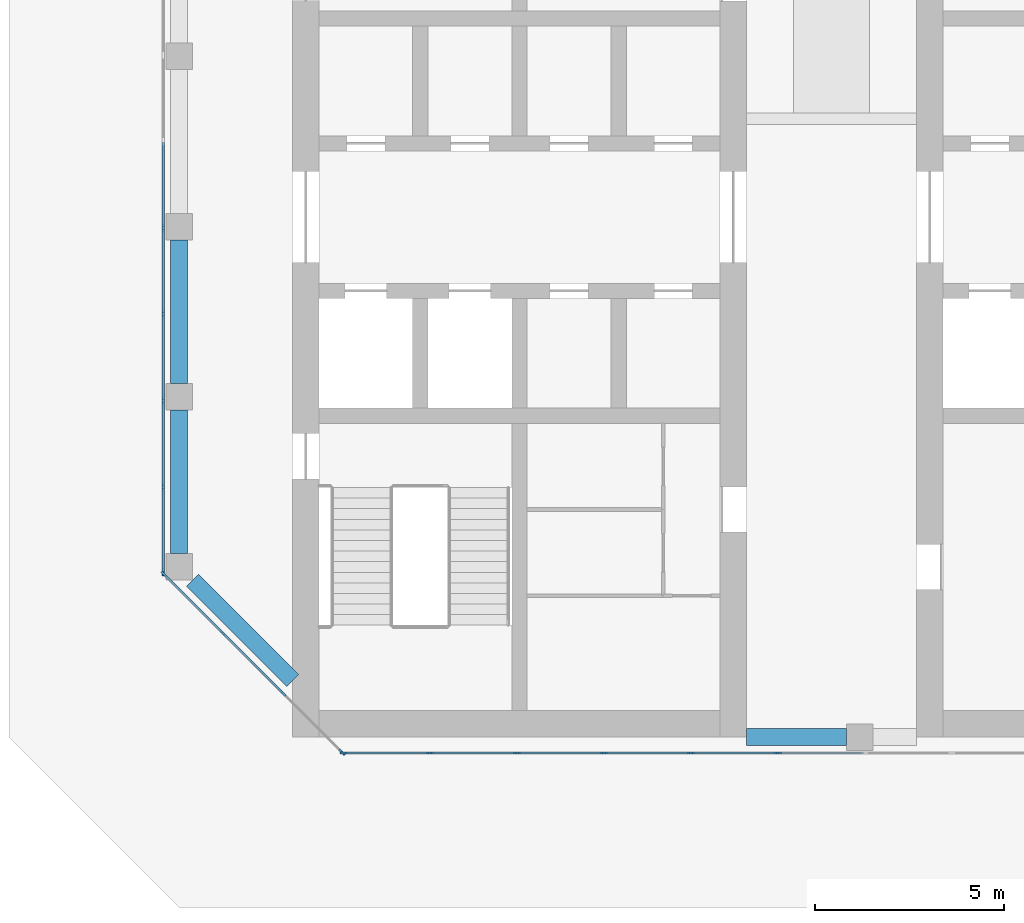
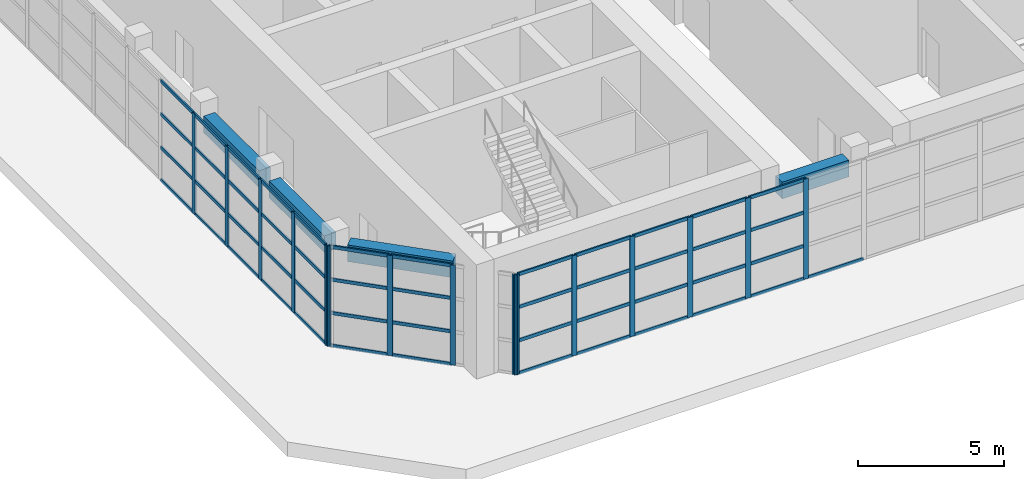
# One storey, part 2 of 13: 64 members, 4 beams, 3 elements without a shape of their own.
"""IFC4 building model written with IfcOpenShell, lengths in metres."""

from ifc_helpers import new_model, si_unit, direction, frame, origin, origin_2d, place, context, subcontext, project, spatial, rectangle, extrude, material, material_profile, profile_set, type_object, element, aggregate, save


model = new_model("IFC4")

# Units and contexts
model_context = context("Model", 3, precision=1e-05, world=origin(), true_north=direction((0.0, 1.0)))
body_context = subcontext(model_context, "Body", "Model", "MODEL_VIEW")
ifc_project = project(units=[si_unit("LENGTHUNIT", "METRE"), si_unit("AREAUNIT", "SQUARE_METRE"), si_unit("VOLUMEUNIT", "CUBIC_METRE"), si_unit("PLANEANGLEUNIT", "RADIAN"), si_unit("MASSUNIT", "GRAM", prefix="KILO")], contexts=[model_context])

# Site, building, storey
site_placement = place(None, origin())
site = spatial("IfcSite", under=ifc_project, at=site_placement, CompositionType="ELEMENT")
building_placement = place(site_placement, origin())
building = spatial("IfcBuilding", under=site, at=building_placement, Name="Corbel Stack Research Tower", CompositionType="ELEMENT")
storey_placement = place(building_placement, frame((0.0, 0.0, 311.800048828125)))
storey = spatial("IfcBuildingStorey", under=building, at=storey_placement, Name="L70", CompositionType="ELEMENT", Elevation=311.800048828125)

# Curtain wall, members
ifc_material_1 = material(Name="Aluminium and glass", Category="aluminium")
curtain_wall_type = type_object("IfcCurtainWallType", Name="CW4C damper hall glazing wall, corner", PredefinedType="NOTDEFINED", material=ifc_material_1)
curtain_wall_1_placement = place(storey_placement, origin())
curtain_wall_1 = element("IfcCurtainWall", 1, at=curtain_wall_1_placement, inside=storey, type_object=curtain_wall_type, Name="Damper hall curtain wall L70 1", PredefinedType="NOTDEFINED")
ifc_material_2 = material(Name="Aluminium, anodised", Category="aluminium")
ifc_material_profile_1 = material_profile(ifc_material_2, rectangle(XDim=0.06005859375, YDim=0.199951171875, at=origin_2d()), Name="CW4 mullion 60 x 200")
ifc_profile_set_1 = profile_set([ifc_material_profile_1], Name="Aluminium, anodised")
member_type_1 = type_object("IfcMemberType", Name="CW4 mullion 60 x 200", PredefinedType="MULLION", material=ifc_profile_set_1)
member_1_placement = place(storey_placement, frame((-9.1953125, -9.398681640625, 0.0), z_axis=(0.0, 0.0, 1.0), x_axis=(-0.707106781187, -0.707106781187, 0.0)))
member_1 = element("IfcMember", 2, at=member_1_placement, type_object=member_type_1, Name="CW4C mullion 1", PredefinedType="MULLION", context=body_context, shape_type="SweptSolid", body=[
    extrude(rectangle(XDim=0.06005859375, YDim=0.199951171875, at=origin_2d()), origin(), (0.0, 0.0, 1.0), 4.199951171875),
])
member_2_placement = place(storey_placement, frame((-10.756103515625, -7.837890625, 0.0), z_axis=(0.0, 0.0, 1.0), x_axis=(-0.707106781187, -0.707106781187, 0.0)))
member_2 = element("IfcMember", 3, at=member_2_placement, type_object=member_type_1, Name="CW4C mullion 2", PredefinedType="MULLION", context=body_context, shape_type="SweptSolid", body=[
    extrude(rectangle(XDim=0.06005859375, YDim=0.199951171875, at=origin_2d()), origin(), (0.0, 0.0, 1.0), 4.199951171875),
])
member_3_placement = place(storey_placement, frame((-12.337890625, -6.256103515625, 0.0), z_axis=(0.0, 0.0, 1.0), x_axis=(-0.707106781187, -0.707106781187, 0.0)))
member_3 = element("IfcMember", 4, at=member_3_placement, type_object=member_type_1, Name="CW4C mullion 3", PredefinedType="MULLION", context=body_context, shape_type="SweptSolid", body=[
    extrude(rectangle(XDim=0.06005859375, YDim=0.199951171875, at=origin_2d()), origin(), (0.0, 0.0, 1.0), 4.199951171875),
])
member_4_placement = place(storey_placement, frame((-13.898681640625, -4.6953125, 0.0), z_axis=(0.0, 0.0, 1.0), x_axis=(-0.707106781187, -0.707106781187, 0.0)))
member_4 = element("IfcMember", 5, at=member_4_placement, type_object=member_type_1, Name="CW4C mullion 4", PredefinedType="MULLION", context=body_context, shape_type="SweptSolid", body=[
    extrude(rectangle(XDim=0.06005859375, YDim=0.199951171875, at=origin_2d()), origin(), (0.0, 0.0, 1.0), 4.199951171875),
])

curtain_wall_2_placement = place(storey_placement, origin())
curtain_wall_2 = element("IfcCurtainWall", 6, at=curtain_wall_2_placement, inside=storey, type_object=curtain_wall_type, Name="Damper hall curtain wall L70 2", PredefinedType="NOTDEFINED")
member_5_placement = place(storey_placement, frame((-13.919921875, -4.64404296875, 0.0), z_axis=(0.0, 0.0, 1.0), x_axis=(-1.0, 0.0, 0.0)))
member_5 = element("IfcMember", 7, at=member_5_placement, type_object=member_type_1, Name="CW4C mullion 1", PredefinedType="MULLION", context=body_context, shape_type="SweptSolid", body=[
    extrude(rectangle(XDim=0.06005859375, YDim=0.199951171875, at=origin_2d()), origin(), (0.0, 0.0, 1.0), 4.199951171875),
])
member_6_placement = place(storey_placement, frame((-13.919921875, -2.38916015625, 0.0), z_axis=(0.0, 0.0, 1.0), x_axis=(-1.0, 0.0, 0.0)))
member_6 = element("IfcMember", 8, at=member_6_placement, type_object=member_type_1, Name="CW4C mullion 2", PredefinedType="MULLION", context=body_context, shape_type="SweptSolid", body=[
    extrude(rectangle(XDim=0.06005859375, YDim=0.199951171875, at=origin_2d()), origin(), (0.0, 0.0, 1.0), 4.199951171875),
])
member_7_placement = place(storey_placement, frame((-13.919921875, -0.1044921875, 0.0), z_axis=(0.0, 0.0, 1.0), x_axis=(-1.0, 0.0, 0.0)))
member_7 = element("IfcMember", 9, at=member_7_placement, type_object=member_type_1, Name="CW4C mullion 3", PredefinedType="MULLION", context=body_context, shape_type="SweptSolid", body=[
    extrude(rectangle(XDim=0.06005859375, YDim=0.199951171875, at=origin_2d()), origin(), (0.0, 0.0, 1.0), 4.199951171875),
])
member_8_placement = place(storey_placement, frame((-13.919921875, 2.180419921875, 0.0), z_axis=(0.0, 0.0, 1.0), x_axis=(-1.0, 0.0, 0.0)))
member_8 = element("IfcMember", 10, at=member_8_placement, type_object=member_type_1, Name="CW4C mullion 4", PredefinedType="MULLION", context=body_context, shape_type="SweptSolid", body=[
    extrude(rectangle(XDim=0.06005859375, YDim=0.199951171875, at=origin_2d()), origin(), (0.0, 0.0, 1.0), 4.199951171875),
])
member_9_placement = place(storey_placement, frame((-13.919921875, 4.465087890625, 0.0), z_axis=(0.0, 0.0, 1.0), x_axis=(-1.0, 0.0, 0.0)))
member_9 = element("IfcMember", 11, at=member_9_placement, type_object=member_type_1, Name="CW4C mullion 5", PredefinedType="MULLION", context=body_context, shape_type="SweptSolid", body=[
    extrude(rectangle(XDim=0.06005859375, YDim=0.199951171875, at=origin_2d()), origin(), (0.0, 0.0, 1.0), 4.199951171875),
])

curtain_wall_3_placement = place(storey_placement, origin())
curtain_wall_3 = element("IfcCurtainWall", 12, at=curtain_wall_3_placement, inside=storey, type_object=curtain_wall_type, Name="Damper hall curtain wall L70 7", PredefinedType="NOTDEFINED")
member_10_placement = place(storey_placement, frame((2.323486328125, -9.419921875, 0.0), z_axis=(0.0, 0.0, 1.0), x_axis=(0.0, -1.0, 0.0)))
member_10 = element("IfcMember", 13, at=member_10_placement, type_object=member_type_1, Name="CW4C mullion 8", PredefinedType="MULLION", context=body_context, shape_type="SweptSolid", body=[
    extrude(rectangle(XDim=0.06005859375, YDim=0.199951171875, at=origin_2d()), origin(), (0.0, 0.0, 1.0), 4.199951171875),
])
member_11_placement = place(storey_placement, frame((0.02392578125, -9.419921875, 0.0), z_axis=(0.0, 0.0, 1.0), x_axis=(0.0, -1.0, 0.0)))
member_11 = element("IfcMember", 14, at=member_11_placement, type_object=member_type_1, Name="CW4C mullion 9", PredefinedType="MULLION", context=body_context, shape_type="SweptSolid", body=[
    extrude(rectangle(XDim=0.06005859375, YDim=0.199951171875, at=origin_2d()), origin(), (0.0, 0.0, 1.0), 4.199951171875),
])
member_12_placement = place(storey_placement, frame((-2.275390625, -9.419921875, 0.0), z_axis=(0.0, 0.0, 1.0), x_axis=(0.0, -1.0, 0.0)))
member_12 = element("IfcMember", 15, at=member_12_placement, type_object=member_type_1, Name="CW4C mullion 10", PredefinedType="MULLION", context=body_context, shape_type="SweptSolid", body=[
    extrude(rectangle(XDim=0.06005859375, YDim=0.199951171875, at=origin_2d()), origin(), (0.0, 0.0, 1.0), 4.199951171875),
])
member_13_placement = place(storey_placement, frame((-4.574951171875, -9.419921875, 0.0), z_axis=(0.0, 0.0, 1.0), x_axis=(0.0, -1.0, 0.0)))
member_13 = element("IfcMember", 16, at=member_13_placement, type_object=member_type_1, Name="CW4C mullion 11", PredefinedType="MULLION", context=body_context, shape_type="SweptSolid", body=[
    extrude(rectangle(XDim=0.06005859375, YDim=0.199951171875, at=origin_2d()), origin(), (0.0, 0.0, 1.0), 4.199951171875),
])
member_14_placement = place(storey_placement, frame((-6.87451171875, -9.419921875, 0.0), z_axis=(0.0, 0.0, 1.0), x_axis=(0.0, -1.0, 0.0)))
member_14 = element("IfcMember", 17, at=member_14_placement, type_object=member_type_1, Name="CW4C mullion 12", PredefinedType="MULLION", context=body_context, shape_type="SweptSolid", body=[
    extrude(rectangle(XDim=0.06005859375, YDim=0.199951171875, at=origin_2d()), origin(), (0.0, 0.0, 1.0), 4.199951171875),
])
member_15_placement = place(storey_placement, frame((-9.14404296875, -9.419921875, 0.0), z_axis=(0.0, 0.0, 1.0), x_axis=(0.0, -1.0, 0.0)))
member_15 = element("IfcMember", 18, at=member_15_placement, type_object=member_type_1, Name="CW4C mullion 13", PredefinedType="MULLION", context=body_context, shape_type="SweptSolid", body=[
    extrude(rectangle(XDim=0.06005859375, YDim=0.199951171875, at=origin_2d()), origin(), (0.0, 0.0, 1.0), 4.199951171875),
])

# Member
ifc_material_3 = material(Name="Aluminium, anodised", Category="aluminium")
ifc_material_profile_2 = material_profile(ifc_material_3, rectangle(XDim=0.06005859375, YDim=0.139892578125, at=origin_2d()), Name="CW4 transom 60 x 140")
ifc_profile_set_2 = profile_set([ifc_material_profile_2], Name="Aluminium, anodised")
member_type_2 = type_object("IfcMemberType", Name="CW4 transom 60 x 140", PredefinedType="USERDEFINED", material=ifc_profile_set_2)
member_16_placement = place(storey_placement, frame((-10.777099609375, -7.81689453125, 0.030029296875), z_axis=(-0.707106781187, 0.707106781187, 0.0), x_axis=(-0.707106781187, -0.707106781187, 0.0)))
member_16 = element("IfcMember", 19, at=member_16_placement, type_object=member_type_2, Name="CW4C transom 2.1", ObjectType="TRANSOM", PredefinedType="USERDEFINED", context=body_context, shape_type="SweptSolid", body=[
    extrude(rectangle(XDim=0.06005859375, YDim=0.139892578125, at=origin_2d()), origin(), (0.0, 0.0, 1.0), 2.177490234375),
])

member_17_placement = place(storey_placement, frame((-10.777099609375, -7.81689453125, 1.39990234375), z_axis=(-0.707106781187, 0.707106781187, 0.0), x_axis=(-0.707106781187, -0.707106781187, 0.0)))
member_17 = element("IfcMember", 20, at=member_17_placement, type_object=member_type_2, Name="CW4C transom 2.2", ObjectType="TRANSOM", PredefinedType="USERDEFINED", context=body_context, shape_type="SweptSolid", body=[
    extrude(rectangle(XDim=0.06005859375, YDim=0.139892578125, at=origin_2d()), origin(), (0.0, 0.0, 1.0), 2.177490234375),
])

member_18_placement = place(storey_placement, frame((-10.777099609375, -7.81689453125, 2.800048828125), z_axis=(-0.707106781187, 0.707106781187, 0.0), x_axis=(-0.707106781187, -0.707106781187, 0.0)))
member_18 = element("IfcMember", 21, at=member_18_placement, type_object=member_type_2, Name="CW4C transom 2.3", ObjectType="TRANSOM", PredefinedType="USERDEFINED", context=body_context, shape_type="SweptSolid", body=[
    extrude(rectangle(XDim=0.06005859375, YDim=0.139892578125, at=origin_2d()), origin(), (0.0, 0.0, 1.0), 2.177490234375),
])

member_19_placement = place(storey_placement, frame((-10.777099609375, -7.81689453125, 4.169921875), z_axis=(-0.707106781187, 0.707106781187, 0.0), x_axis=(-0.707106781187, -0.707106781187, 0.0)))
member_19 = element("IfcMember", 22, at=member_19_placement, type_object=member_type_2, Name="CW4C transom 2.4", ObjectType="TRANSOM", PredefinedType="USERDEFINED", context=body_context, shape_type="SweptSolid", body=[
    extrude(rectangle(XDim=0.06005859375, YDim=0.139892578125, at=origin_2d()), origin(), (0.0, 0.0, 1.0), 2.177490234375),
])

member_20_placement = place(storey_placement, frame((-12.359130859375, -6.23486328125, 0.030029296875), z_axis=(-0.707106781187, 0.707106781187, 0.0), x_axis=(-0.707106781187, -0.707106781187, 0.0)))
member_20 = element("IfcMember", 23, at=member_20_placement, type_object=member_type_2, Name="CW4C transom 3.1", ObjectType="TRANSOM", PredefinedType="USERDEFINED", context=body_context, shape_type="SweptSolid", body=[
    extrude(rectangle(XDim=0.06005859375, YDim=0.139892578125, at=origin_2d()), origin(), (0.0, 0.0, 1.0), 2.1474609375),
])

member_21_placement = place(storey_placement, frame((-12.359130859375, -6.23486328125, 1.39990234375), z_axis=(-0.707106781187, 0.707106781187, 0.0), x_axis=(-0.707106781187, -0.707106781187, 0.0)))
member_21 = element("IfcMember", 24, at=member_21_placement, type_object=member_type_2, Name="CW4C transom 3.2", ObjectType="TRANSOM", PredefinedType="USERDEFINED", context=body_context, shape_type="SweptSolid", body=[
    extrude(rectangle(XDim=0.06005859375, YDim=0.139892578125, at=origin_2d()), origin(), (0.0, 0.0, 1.0), 2.1474609375),
])

member_22_placement = place(storey_placement, frame((-12.359130859375, -6.23486328125, 2.800048828125), z_axis=(-0.707106781187, 0.707106781187, 0.0), x_axis=(-0.707106781187, -0.707106781187, 0.0)))
member_22 = element("IfcMember", 25, at=member_22_placement, type_object=member_type_2, Name="CW4C transom 3.3", ObjectType="TRANSOM", PredefinedType="USERDEFINED", context=body_context, shape_type="SweptSolid", body=[
    extrude(rectangle(XDim=0.06005859375, YDim=0.139892578125, at=origin_2d()), origin(), (0.0, 0.0, 1.0), 2.1474609375),
])

member_23_placement = place(storey_placement, frame((-12.359130859375, -6.23486328125, 4.169921875), z_axis=(-0.707106781187, 0.707106781187, 0.0), x_axis=(-0.707106781187, -0.707106781187, 0.0)))
member_23 = element("IfcMember", 26, at=member_23_placement, type_object=member_type_2, Name="CW4C transom 3.4", ObjectType="TRANSOM", PredefinedType="USERDEFINED", context=body_context, shape_type="SweptSolid", body=[
    extrude(rectangle(XDim=0.06005859375, YDim=0.139892578125, at=origin_2d()), origin(), (0.0, 0.0, 1.0), 2.1474609375),
])

aggregate(curtain_wall_1, [member_1, member_2, member_3, member_4, member_16, member_17, member_18, member_19, member_20, member_21, member_22, member_23])

member_24_placement = place(storey_placement, frame((-13.919921875, -4.614013671875, 0.030029296875), z_axis=(0.0, 1.0, 0.0), x_axis=(-1.0, 0.0, 0.0)))
member_24 = element("IfcMember", 27, at=member_24_placement, type_object=member_type_2, Name="CW4C transom 1.1", ObjectType="TRANSOM", PredefinedType="USERDEFINED", context=body_context, shape_type="SweptSolid", body=[
    extrude(rectangle(XDim=0.06005859375, YDim=0.139892578125, at=origin_2d()), origin(), (0.0, 0.0, 1.0), 2.19482421875),
])

member_25_placement = place(storey_placement, frame((-13.919921875, -4.614013671875, 1.39990234375), z_axis=(0.0, 1.0, 0.0), x_axis=(-1.0, 0.0, 0.0)))
member_25 = element("IfcMember", 28, at=member_25_placement, type_object=member_type_2, Name="CW4C transom 1.2", ObjectType="TRANSOM", PredefinedType="USERDEFINED", context=body_context, shape_type="SweptSolid", body=[
    extrude(rectangle(XDim=0.06005859375, YDim=0.139892578125, at=origin_2d()), origin(), (0.0, 0.0, 1.0), 2.19482421875),
])

member_26_placement = place(storey_placement, frame((-13.919921875, -4.614013671875, 2.800048828125), z_axis=(0.0, 1.0, 0.0), x_axis=(-1.0, 0.0, 0.0)))
member_26 = element("IfcMember", 29, at=member_26_placement, type_object=member_type_2, Name="CW4C transom 1.3", ObjectType="TRANSOM", PredefinedType="USERDEFINED", context=body_context, shape_type="SweptSolid", body=[
    extrude(rectangle(XDim=0.06005859375, YDim=0.139892578125, at=origin_2d()), origin(), (0.0, 0.0, 1.0), 2.19482421875),
])

member_27_placement = place(storey_placement, frame((-13.919921875, -4.614013671875, 4.169921875), z_axis=(0.0, 1.0, 0.0), x_axis=(-1.0, 0.0, 0.0)))
member_27 = element("IfcMember", 30, at=member_27_placement, type_object=member_type_2, Name="CW4C transom 1.4", ObjectType="TRANSOM", PredefinedType="USERDEFINED", context=body_context, shape_type="SweptSolid", body=[
    extrude(rectangle(XDim=0.06005859375, YDim=0.139892578125, at=origin_2d()), origin(), (0.0, 0.0, 1.0), 2.19482421875),
])

member_28_placement = place(storey_placement, frame((-13.919921875, -2.359130859375, 0.030029296875), z_axis=(0.0, 1.0, 0.0), x_axis=(-1.0, 0.0, 0.0)))
member_28 = element("IfcMember", 31, at=member_28_placement, type_object=member_type_2, Name="CW4C transom 2.1", ObjectType="TRANSOM", PredefinedType="USERDEFINED", context=body_context, shape_type="SweptSolid", body=[
    extrude(rectangle(XDim=0.06005859375, YDim=0.139892578125, at=origin_2d()), origin(), (0.0, 0.0, 1.0), 2.224609375),
])

member_29_placement = place(storey_placement, frame((-13.919921875, -2.359130859375, 1.39990234375), z_axis=(0.0, 1.0, 0.0), x_axis=(-1.0, 0.0, 0.0)))
member_29 = element("IfcMember", 32, at=member_29_placement, type_object=member_type_2, Name="CW4C transom 2.2", ObjectType="TRANSOM", PredefinedType="USERDEFINED", context=body_context, shape_type="SweptSolid", body=[
    extrude(rectangle(XDim=0.06005859375, YDim=0.139892578125, at=origin_2d()), origin(), (0.0, 0.0, 1.0), 2.224609375),
])

member_30_placement = place(storey_placement, frame((-13.919921875, -2.359130859375, 2.800048828125), z_axis=(0.0, 1.0, 0.0), x_axis=(-1.0, 0.0, 0.0)))
member_30 = element("IfcMember", 33, at=member_30_placement, type_object=member_type_2, Name="CW4C transom 2.3", ObjectType="TRANSOM", PredefinedType="USERDEFINED", context=body_context, shape_type="SweptSolid", body=[
    extrude(rectangle(XDim=0.06005859375, YDim=0.139892578125, at=origin_2d()), origin(), (0.0, 0.0, 1.0), 2.224609375),
])

member_31_placement = place(storey_placement, frame((-13.919921875, -2.359130859375, 4.169921875), z_axis=(0.0, 1.0, 0.0), x_axis=(-1.0, 0.0, 0.0)))
member_31 = element("IfcMember", 34, at=member_31_placement, type_object=member_type_2, Name="CW4C transom 2.4", ObjectType="TRANSOM", PredefinedType="USERDEFINED", context=body_context, shape_type="SweptSolid", body=[
    extrude(rectangle(XDim=0.06005859375, YDim=0.139892578125, at=origin_2d()), origin(), (0.0, 0.0, 1.0), 2.224609375),
])

member_32_placement = place(storey_placement, frame((-13.919921875, -0.074462890625, 0.030029296875), z_axis=(0.0, 1.0, 0.0), x_axis=(-1.0, 0.0, 0.0)))
member_32 = element("IfcMember", 35, at=member_32_placement, type_object=member_type_2, Name="CW4C transom 3.1", ObjectType="TRANSOM", PredefinedType="USERDEFINED", context=body_context, shape_type="SweptSolid", body=[
    extrude(rectangle(XDim=0.06005859375, YDim=0.139892578125, at=origin_2d()), origin(), (0.0, 0.0, 1.0), 2.224853515625),
])

member_33_placement = place(storey_placement, frame((-13.919921875, -0.074462890625, 1.39990234375), z_axis=(0.0, 1.0, 0.0), x_axis=(-1.0, 0.0, 0.0)))
member_33 = element("IfcMember", 36, at=member_33_placement, type_object=member_type_2, Name="CW4C transom 3.2", ObjectType="TRANSOM", PredefinedType="USERDEFINED", context=body_context, shape_type="SweptSolid", body=[
    extrude(rectangle(XDim=0.06005859375, YDim=0.139892578125, at=origin_2d()), origin(), (0.0, 0.0, 1.0), 2.224853515625),
])

member_34_placement = place(storey_placement, frame((-13.919921875, -0.074462890625, 2.800048828125), z_axis=(0.0, 1.0, 0.0), x_axis=(-1.0, 0.0, 0.0)))
member_34 = element("IfcMember", 37, at=member_34_placement, type_object=member_type_2, Name="CW4C transom 3.3", ObjectType="TRANSOM", PredefinedType="USERDEFINED", context=body_context, shape_type="SweptSolid", body=[
    extrude(rectangle(XDim=0.06005859375, YDim=0.139892578125, at=origin_2d()), origin(), (0.0, 0.0, 1.0), 2.224853515625),
])

member_35_placement = place(storey_placement, frame((-13.919921875, -0.074462890625, 4.169921875), z_axis=(0.0, 1.0, 0.0), x_axis=(-1.0, 0.0, 0.0)))
member_35 = element("IfcMember", 38, at=member_35_placement, type_object=member_type_2, Name="CW4C transom 3.4", ObjectType="TRANSOM", PredefinedType="USERDEFINED", context=body_context, shape_type="SweptSolid", body=[
    extrude(rectangle(XDim=0.06005859375, YDim=0.139892578125, at=origin_2d()), origin(), (0.0, 0.0, 1.0), 2.224853515625),
])

member_36_placement = place(storey_placement, frame((-13.919921875, 2.21044921875, 0.030029296875), z_axis=(0.0, 1.0, 0.0), x_axis=(-1.0, 0.0, 0.0)))
member_36 = element("IfcMember", 39, at=member_36_placement, type_object=member_type_2, Name="CW4C transom 4.1", ObjectType="TRANSOM", PredefinedType="USERDEFINED", context=body_context, shape_type="SweptSolid", body=[
    extrude(rectangle(XDim=0.06005859375, YDim=0.139892578125, at=origin_2d()), origin(), (0.0, 0.0, 1.0), 2.224853515625),
])

member_37_placement = place(storey_placement, frame((-13.919921875, 2.21044921875, 1.39990234375), z_axis=(0.0, 1.0, 0.0), x_axis=(-1.0, 0.0, 0.0)))
member_37 = element("IfcMember", 40, at=member_37_placement, type_object=member_type_2, Name="CW4C transom 4.2", ObjectType="TRANSOM", PredefinedType="USERDEFINED", context=body_context, shape_type="SweptSolid", body=[
    extrude(rectangle(XDim=0.06005859375, YDim=0.139892578125, at=origin_2d()), origin(), (0.0, 0.0, 1.0), 2.224853515625),
])

member_38_placement = place(storey_placement, frame((-13.919921875, 2.21044921875, 2.800048828125), z_axis=(0.0, 1.0, 0.0), x_axis=(-1.0, 0.0, 0.0)))
member_38 = element("IfcMember", 41, at=member_38_placement, type_object=member_type_2, Name="CW4C transom 4.3", ObjectType="TRANSOM", PredefinedType="USERDEFINED", context=body_context, shape_type="SweptSolid", body=[
    extrude(rectangle(XDim=0.06005859375, YDim=0.139892578125, at=origin_2d()), origin(), (0.0, 0.0, 1.0), 2.224853515625),
])

member_39_placement = place(storey_placement, frame((-13.919921875, 2.21044921875, 4.169921875), z_axis=(0.0, 1.0, 0.0), x_axis=(-1.0, 0.0, 0.0)))
member_39 = element("IfcMember", 42, at=member_39_placement, type_object=member_type_2, Name="CW4C transom 4.4", ObjectType="TRANSOM", PredefinedType="USERDEFINED", context=body_context, shape_type="SweptSolid", body=[
    extrude(rectangle(XDim=0.06005859375, YDim=0.139892578125, at=origin_2d()), origin(), (0.0, 0.0, 1.0), 2.224853515625),
])

member_40_placement = place(storey_placement, frame((-13.919921875, 4.4951171875, 0.030029296875), z_axis=(0.0, 1.0, 0.0), x_axis=(-1.0, 0.0, 0.0)))
member_40 = element("IfcMember", 43, at=member_40_placement, type_object=member_type_2, Name="CW4C transom 5.1", ObjectType="TRANSOM", PredefinedType="USERDEFINED", context=body_context, shape_type="SweptSolid", body=[
    extrude(rectangle(XDim=0.06005859375, YDim=0.139892578125, at=origin_2d()), origin(), (0.0, 0.0, 1.0), 2.224853515625),
])

member_41_placement = place(storey_placement, frame((-13.919921875, 4.4951171875, 1.39990234375), z_axis=(0.0, 1.0, 0.0), x_axis=(-1.0, 0.0, 0.0)))
member_41 = element("IfcMember", 44, at=member_41_placement, type_object=member_type_2, Name="CW4C transom 5.2", ObjectType="TRANSOM", PredefinedType="USERDEFINED", context=body_context, shape_type="SweptSolid", body=[
    extrude(rectangle(XDim=0.06005859375, YDim=0.139892578125, at=origin_2d()), origin(), (0.0, 0.0, 1.0), 2.224853515625),
])

member_42_placement = place(storey_placement, frame((-13.919921875, 4.4951171875, 2.800048828125), z_axis=(0.0, 1.0, 0.0), x_axis=(-1.0, 0.0, 0.0)))
member_42 = element("IfcMember", 45, at=member_42_placement, type_object=member_type_2, Name="CW4C transom 5.3", ObjectType="TRANSOM", PredefinedType="USERDEFINED", context=body_context, shape_type="SweptSolid", body=[
    extrude(rectangle(XDim=0.06005859375, YDim=0.139892578125, at=origin_2d()), origin(), (0.0, 0.0, 1.0), 2.224853515625),
])

member_43_placement = place(storey_placement, frame((-13.919921875, 4.4951171875, 4.169921875), z_axis=(0.0, 1.0, 0.0), x_axis=(-1.0, 0.0, 0.0)))
member_43 = element("IfcMember", 46, at=member_43_placement, type_object=member_type_2, Name="CW4C transom 5.4", ObjectType="TRANSOM", PredefinedType="USERDEFINED", context=body_context, shape_type="SweptSolid", body=[
    extrude(rectangle(XDim=0.06005859375, YDim=0.139892578125, at=origin_2d()), origin(), (0.0, 0.0, 1.0), 2.224853515625),
])

aggregate(curtain_wall_2, [member_5, member_6, member_7, member_8, member_9, member_24, member_25, member_26, member_27, member_28, member_29, member_30, member_31, member_32, member_33, member_34, member_35, member_36, member_37, member_38, member_39, member_40, member_41, member_42, member_43])

member_44_placement = place(storey_placement, frame((4.593017578125, -9.419921875, 0.030029296875), z_axis=(-1.0, 0.0, 0.0), x_axis=(0.0, -1.0, 0.0)))
member_44 = element("IfcMember", 47, at=member_44_placement, type_object=member_type_2, Name="CW4C transom 7.1", ObjectType="TRANSOM", PredefinedType="USERDEFINED", context=body_context, shape_type="SweptSolid", body=[
    extrude(rectangle(XDim=0.06005859375, YDim=0.139892578125, at=origin_2d()), origin(), (0.0, 0.0, 1.0), 2.239501953125),
])

member_45_placement = place(storey_placement, frame((2.29345703125, -9.419921875, 0.030029296875), z_axis=(-1.0, 0.0, 0.0), x_axis=(0.0, -1.0, 0.0)))
member_45 = element("IfcMember", 48, at=member_45_placement, type_object=member_type_2, Name="CW4C transom 8.1", ObjectType="TRANSOM", PredefinedType="USERDEFINED", context=body_context, shape_type="SweptSolid", body=[
    extrude(rectangle(XDim=0.06005859375, YDim=0.139892578125, at=origin_2d()), origin(), (0.0, 0.0, 1.0), 2.239501953125),
])

member_46_placement = place(storey_placement, frame((2.29345703125, -9.419921875, 1.39990234375), z_axis=(-1.0, 0.0, 0.0), x_axis=(0.0, -1.0, 0.0)))
member_46 = element("IfcMember", 49, at=member_46_placement, type_object=member_type_2, Name="CW4C transom 8.2", ObjectType="TRANSOM", PredefinedType="USERDEFINED", context=body_context, shape_type="SweptSolid", body=[
    extrude(rectangle(XDim=0.06005859375, YDim=0.139892578125, at=origin_2d()), origin(), (0.0, 0.0, 1.0), 2.239501953125),
])

member_47_placement = place(storey_placement, frame((2.29345703125, -9.419921875, 2.800048828125), z_axis=(-1.0, 0.0, 0.0), x_axis=(0.0, -1.0, 0.0)))
member_47 = element("IfcMember", 50, at=member_47_placement, type_object=member_type_2, Name="CW4C transom 8.3", ObjectType="TRANSOM", PredefinedType="USERDEFINED", context=body_context, shape_type="SweptSolid", body=[
    extrude(rectangle(XDim=0.06005859375, YDim=0.139892578125, at=origin_2d()), origin(), (0.0, 0.0, 1.0), 2.239501953125),
])

member_48_placement = place(storey_placement, frame((2.29345703125, -9.419921875, 4.169921875), z_axis=(-1.0, 0.0, 0.0), x_axis=(0.0, -1.0, 0.0)))
member_48 = element("IfcMember", 51, at=member_48_placement, type_object=member_type_2, Name="CW4C transom 8.4", ObjectType="TRANSOM", PredefinedType="USERDEFINED", context=body_context, shape_type="SweptSolid", body=[
    extrude(rectangle(XDim=0.06005859375, YDim=0.139892578125, at=origin_2d()), origin(), (0.0, 0.0, 1.0), 2.239501953125),
])

member_49_placement = place(storey_placement, frame((-0.006103515625, -9.419921875, 0.030029296875), z_axis=(-1.0, 0.0, 0.0), x_axis=(0.0, -1.0, 0.0)))
member_49 = element("IfcMember", 52, at=member_49_placement, type_object=member_type_2, Name="CW4C transom 9.1", ObjectType="TRANSOM", PredefinedType="USERDEFINED", context=body_context, shape_type="SweptSolid", body=[
    extrude(rectangle(XDim=0.06005859375, YDim=0.139892578125, at=origin_2d()), origin(), (0.0, 0.0, 1.0), 2.239501953125),
])

member_50_placement = place(storey_placement, frame((-0.006103515625, -9.419921875, 1.39990234375), z_axis=(-1.0, 0.0, 0.0), x_axis=(0.0, -1.0, 0.0)))
member_50 = element("IfcMember", 53, at=member_50_placement, type_object=member_type_2, Name="CW4C transom 9.2", ObjectType="TRANSOM", PredefinedType="USERDEFINED", context=body_context, shape_type="SweptSolid", body=[
    extrude(rectangle(XDim=0.06005859375, YDim=0.139892578125, at=origin_2d()), origin(), (0.0, 0.0, 1.0), 2.239501953125),
])

member_51_placement = place(storey_placement, frame((-0.006103515625, -9.419921875, 2.800048828125), z_axis=(-1.0, 0.0, 0.0), x_axis=(0.0, -1.0, 0.0)))
member_51 = element("IfcMember", 54, at=member_51_placement, type_object=member_type_2, Name="CW4C transom 9.3", ObjectType="TRANSOM", PredefinedType="USERDEFINED", context=body_context, shape_type="SweptSolid", body=[
    extrude(rectangle(XDim=0.06005859375, YDim=0.139892578125, at=origin_2d()), origin(), (0.0, 0.0, 1.0), 2.239501953125),
])

member_52_placement = place(storey_placement, frame((-0.006103515625, -9.419921875, 4.169921875), z_axis=(-1.0, 0.0, 0.0), x_axis=(0.0, -1.0, 0.0)))
member_52 = element("IfcMember", 55, at=member_52_placement, type_object=member_type_2, Name="CW4C transom 9.4", ObjectType="TRANSOM", PredefinedType="USERDEFINED", context=body_context, shape_type="SweptSolid", body=[
    extrude(rectangle(XDim=0.06005859375, YDim=0.139892578125, at=origin_2d()), origin(), (0.0, 0.0, 1.0), 2.239501953125),
])

member_53_placement = place(storey_placement, frame((-2.305419921875, -9.419921875, 0.030029296875), z_axis=(-1.0, 0.0, 0.0), x_axis=(0.0, -1.0, 0.0)))
member_53 = element("IfcMember", 56, at=member_53_placement, type_object=member_type_2, Name="CW4C transom 10.1", ObjectType="TRANSOM", PredefinedType="USERDEFINED", context=body_context, shape_type="SweptSolid", body=[
    extrude(rectangle(XDim=0.06005859375, YDim=0.139892578125, at=origin_2d()), origin(), (0.0, 0.0, 1.0), 2.239501953125),
])

member_54_placement = place(storey_placement, frame((-2.305419921875, -9.419921875, 1.39990234375), z_axis=(-1.0, 0.0, 0.0), x_axis=(0.0, -1.0, 0.0)))
member_54 = element("IfcMember", 57, at=member_54_placement, type_object=member_type_2, Name="CW4C transom 10.2", ObjectType="TRANSOM", PredefinedType="USERDEFINED", context=body_context, shape_type="SweptSolid", body=[
    extrude(rectangle(XDim=0.06005859375, YDim=0.139892578125, at=origin_2d()), origin(), (0.0, 0.0, 1.0), 2.239501953125),
])

member_55_placement = place(storey_placement, frame((-2.305419921875, -9.419921875, 2.800048828125), z_axis=(-1.0, 0.0, 0.0), x_axis=(0.0, -1.0, 0.0)))
member_55 = element("IfcMember", 58, at=member_55_placement, type_object=member_type_2, Name="CW4C transom 10.3", ObjectType="TRANSOM", PredefinedType="USERDEFINED", context=body_context, shape_type="SweptSolid", body=[
    extrude(rectangle(XDim=0.06005859375, YDim=0.139892578125, at=origin_2d()), origin(), (0.0, 0.0, 1.0), 2.239501953125),
])

member_56_placement = place(storey_placement, frame((-2.305419921875, -9.419921875, 4.169921875), z_axis=(-1.0, 0.0, 0.0), x_axis=(0.0, -1.0, 0.0)))
member_56 = element("IfcMember", 59, at=member_56_placement, type_object=member_type_2, Name="CW4C transom 10.4", ObjectType="TRANSOM", PredefinedType="USERDEFINED", context=body_context, shape_type="SweptSolid", body=[
    extrude(rectangle(XDim=0.06005859375, YDim=0.139892578125, at=origin_2d()), origin(), (0.0, 0.0, 1.0), 2.239501953125),
])

member_57_placement = place(storey_placement, frame((-4.60498046875, -9.419921875, 0.030029296875), z_axis=(-1.0, 0.0, 0.0), x_axis=(0.0, -1.0, 0.0)))
member_57 = element("IfcMember", 60, at=member_57_placement, type_object=member_type_2, Name="CW4C transom 11.1", ObjectType="TRANSOM", PredefinedType="USERDEFINED", context=body_context, shape_type="SweptSolid", body=[
    extrude(rectangle(XDim=0.06005859375, YDim=0.139892578125, at=origin_2d()), origin(), (0.0, 0.0, 1.0), 2.239501953125),
])

member_58_placement = place(storey_placement, frame((-4.60498046875, -9.419921875, 1.39990234375), z_axis=(-1.0, 0.0, 0.0), x_axis=(0.0, -1.0, 0.0)))
member_58 = element("IfcMember", 61, at=member_58_placement, type_object=member_type_2, Name="CW4C transom 11.2", ObjectType="TRANSOM", PredefinedType="USERDEFINED", context=body_context, shape_type="SweptSolid", body=[
    extrude(rectangle(XDim=0.06005859375, YDim=0.139892578125, at=origin_2d()), origin(), (0.0, 0.0, 1.0), 2.239501953125),
])

member_59_placement = place(storey_placement, frame((-4.60498046875, -9.419921875, 2.800048828125), z_axis=(-1.0, 0.0, 0.0), x_axis=(0.0, -1.0, 0.0)))
member_59 = element("IfcMember", 62, at=member_59_placement, type_object=member_type_2, Name="CW4C transom 11.3", ObjectType="TRANSOM", PredefinedType="USERDEFINED", context=body_context, shape_type="SweptSolid", body=[
    extrude(rectangle(XDim=0.06005859375, YDim=0.139892578125, at=origin_2d()), origin(), (0.0, 0.0, 1.0), 2.239501953125),
])

member_60_placement = place(storey_placement, frame((-4.60498046875, -9.419921875, 4.169921875), z_axis=(-1.0, 0.0, 0.0), x_axis=(0.0, -1.0, 0.0)))
member_60 = element("IfcMember", 63, at=member_60_placement, type_object=member_type_2, Name="CW4C transom 11.4", ObjectType="TRANSOM", PredefinedType="USERDEFINED", context=body_context, shape_type="SweptSolid", body=[
    extrude(rectangle(XDim=0.06005859375, YDim=0.139892578125, at=origin_2d()), origin(), (0.0, 0.0, 1.0), 2.239501953125),
])

member_61_placement = place(storey_placement, frame((-6.904541015625, -9.419921875, 0.030029296875), z_axis=(-1.0, 0.0, 0.0), x_axis=(0.0, -1.0, 0.0)))
member_61 = element("IfcMember", 64, at=member_61_placement, type_object=member_type_2, Name="CW4C transom 12.1", ObjectType="TRANSOM", PredefinedType="USERDEFINED", context=body_context, shape_type="SweptSolid", body=[
    extrude(rectangle(XDim=0.06005859375, YDim=0.139892578125, at=origin_2d()), origin(), (0.0, 0.0, 1.0), 2.20947265625),
])

member_62_placement = place(storey_placement, frame((-6.904541015625, -9.419921875, 1.39990234375), z_axis=(-1.0, 0.0, 0.0), x_axis=(0.0, -1.0, 0.0)))
member_62 = element("IfcMember", 65, at=member_62_placement, type_object=member_type_2, Name="CW4C transom 12.2", ObjectType="TRANSOM", PredefinedType="USERDEFINED", context=body_context, shape_type="SweptSolid", body=[
    extrude(rectangle(XDim=0.06005859375, YDim=0.139892578125, at=origin_2d()), origin(), (0.0, 0.0, 1.0), 2.20947265625),
])

member_63_placement = place(storey_placement, frame((-6.904541015625, -9.419921875, 2.800048828125), z_axis=(-1.0, 0.0, 0.0), x_axis=(0.0, -1.0, 0.0)))
member_63 = element("IfcMember", 66, at=member_63_placement, type_object=member_type_2, Name="CW4C transom 12.3", ObjectType="TRANSOM", PredefinedType="USERDEFINED", context=body_context, shape_type="SweptSolid", body=[
    extrude(rectangle(XDim=0.06005859375, YDim=0.139892578125, at=origin_2d()), origin(), (0.0, 0.0, 1.0), 2.20947265625),
])

member_64_placement = place(storey_placement, frame((-6.904541015625, -9.419921875, 4.169921875), z_axis=(-1.0, 0.0, 0.0), x_axis=(0.0, -1.0, 0.0)))
member_64 = element("IfcMember", 67, at=member_64_placement, type_object=member_type_2, Name="CW4C transom 12.4", ObjectType="TRANSOM", PredefinedType="USERDEFINED", context=body_context, shape_type="SweptSolid", body=[
    extrude(rectangle(XDim=0.06005859375, YDim=0.139892578125, at=origin_2d()), origin(), (0.0, 0.0, 1.0), 2.20947265625),
])

aggregate(curtain_wall_3, [member_10, member_11, member_12, member_13, member_14, member_15, member_44, member_45, member_46, member_47, member_48, member_49, member_50, member_51, member_52, member_53, member_54, member_55, member_56, member_57, member_58, member_59, member_60, member_61, member_62, member_63, member_64])

# Beams
ifc_material_4 = material(Name="Concrete C60/75", Category="concrete")
ifc_material_profile_3 = material_profile(ifc_material_4, rectangle(XDim=0.449951171875, YDim=0.699951171875, at=origin_2d()), Name="RC 450 x 700")
ifc_profile_set_3 = profile_set([ifc_material_profile_3], Name="Concrete C60/75")
beam_type = type_object("IfcBeamType", Name="SB-450-700", PredefinedType="SPANDREL", material=ifc_profile_set_3)
beam_1_placement = place(storey_placement, frame((1.5, -9.0, 3.849853515625), z_axis=(1.0, 0.0, 0.0), x_axis=(0.0, 1.0, 0.0)))
element("IfcBeam", 68, at=beam_1_placement, inside=storey, type_object=beam_type, Name="Spandrel beam L70-01", PredefinedType="SPANDREL", context=body_context, shape_type="SweptSolid", body=[
    extrude(rectangle(XDim=0.449951171875, YDim=0.699951171875, at=origin_2d()), origin(), (0.0, 0.0, 1.0), 2.64990234375),
])
for number, where, z_axis, x_axis, name in (
    (69, (-13.5, 4.14990234375, 3.849853515625), (0.0, -1.0, 0.0), (1.0, 0.0, 0.0), "Spandrel beam L70-13"),
    (70, (-13.5, -0.35009765625, 3.849853515625), (0.0, -1.0, 0.0), (1.0, 0.0, 0.0), "Spandrel beam L70-14"),
):
    element("IfcBeam", number, at=place(storey_placement, frame(where, z_axis=z_axis, x_axis=x_axis)), inside=storey, type_object=beam_type, Name=name, PredefinedType="SPANDREL", context=body_context, shape_type="SweptSolid", body=[
        extrude(rectangle(XDim=0.449951171875, YDim=0.699951171875, at=origin_2d()), origin(), (0.0, 0.0, 1.0), 3.7998046875),
    ])
beam_2_placement = place(storey_placement, frame((-13.14990234375, -4.85009765625, 3.849853515625), z_axis=(0.707106781187, -0.707106781187, 0.0), x_axis=(0.707106781187, 0.707106781187, 0.0)))
element("IfcBeam", 71, at=beam_2_placement, inside=storey, type_object=beam_type, Name="Spandrel beam L70-15", PredefinedType="SPANDREL", context=body_context, shape_type="SweptSolid", body=[
    extrude(rectangle(XDim=0.449951171875, YDim=0.699951171875, at=origin_2d()), origin(), (0.0, 0.0, 1.0), 3.74755859375),
])

save(model, "model.ifc")
